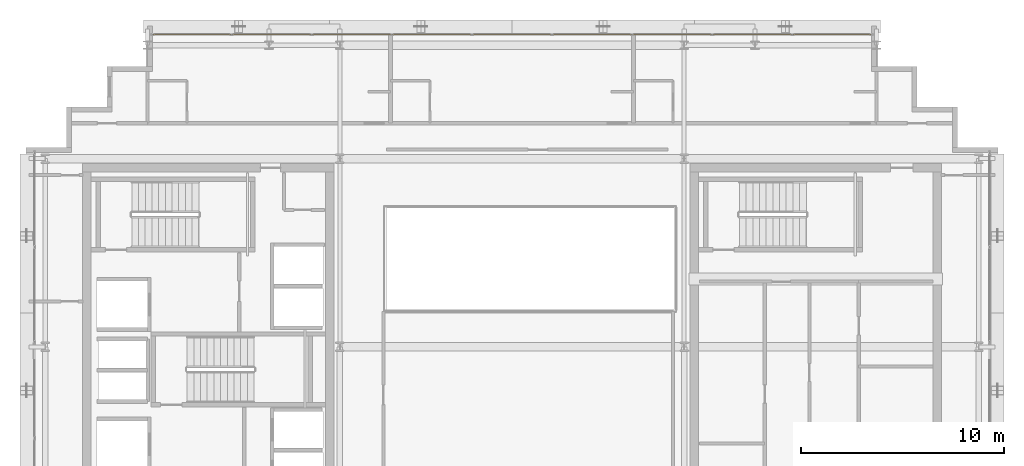
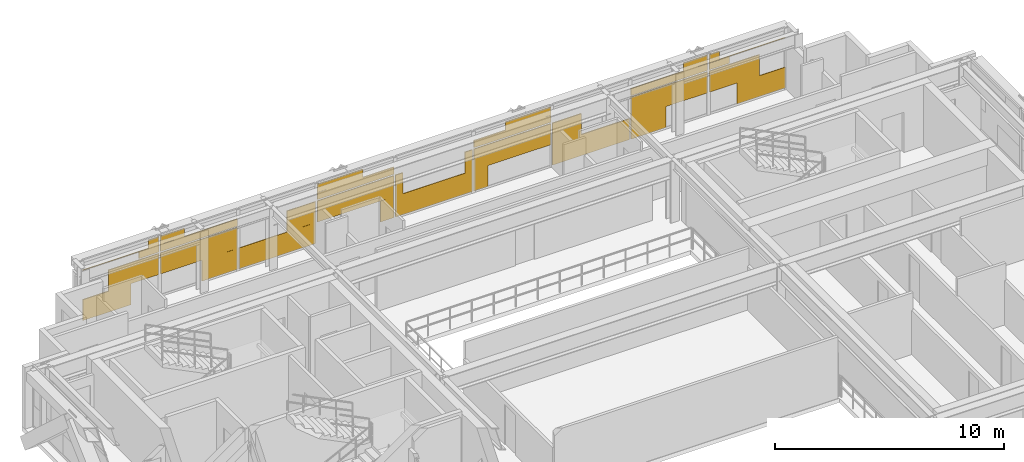
# One storey, part 28 of 28: 1 covering.
"""IFC4 building model written with IfcOpenShell, lengths in metres."""

from ifc_helpers import new_model, si_unit, direction, frame, origin, origin_2d, place, context, subcontext, project, spatial, rectangle, extrude, material, layer, layer_set, type_object, element, save


model = new_model("IFC4")

# Units and contexts
model_context = context("Model", 3, precision=1e-05, world=origin(), true_north=direction((0.0, 1.0)))
body_context = subcontext(model_context, "Body", "Model", "MODEL_VIEW")
ifc_project = project(units=[si_unit("LENGTHUNIT", "METRE"), si_unit("AREAUNIT", "SQUARE_METRE"), si_unit("VOLUMEUNIT", "CUBIC_METRE"), si_unit("PLANEANGLEUNIT", "RADIAN"), si_unit("MASSUNIT", "GRAM", prefix="KILO")], contexts=[model_context])

# Site, building, storey
site_placement = place(None, origin())
site = spatial("IfcSite", under=ifc_project, at=site_placement, CompositionType="ELEMENT")
building_placement = place(site_placement, origin())
building = spatial("IfcBuilding", under=site, at=building_placement, Name="Ocotamira Hotel", CompositionType="ELEMENT")
storey_placement = place(building_placement, frame((0.0, 0.0, 243.60009765625)))
storey = spatial("IfcBuildingStorey", under=building, at=storey_placement, Name="L61", CompositionType="ELEMENT", Elevation=243.60009765625)

# Covering
ifc_material = material(Name="Insulated pale-metal aluminium spandrel panel", Category="aluminium")
ifc_layer = layer(ifc_material, 0.044921875)
ifc_layer_set = layer_set([ifc_layer], Name="Insulated pale-metal aluminium spandrel panel")
covering_type = type_object("IfcCoveringType", Name="COV-INFILL-45", PredefinedType="CLADDING", material=ifc_layer_set)
covering_placement = place(storey_placement, origin())
element("IfcCovering", 1, at=covering_placement, inside=storey, type_object=covering_type, Name="L61 Curtain Wall Infill CW-5 CW-L61-N", PredefinedType="CLADDING", context=body_context, shape_type="SweptSolid", body=[
    extrude(rectangle(XDim=2.42822265625, YDim=0.044921875, at=origin_2d()), frame((15.49462890625, 43.580078125, 0.075439453125), z_axis=(0.0, 0.0, 1.0), x_axis=(1.0, 0.0, 0.0)), (0.0, 0.0, 1.0), 1.11767578125),
    extrude(rectangle(XDim=2.54541015625, YDim=0.044921875, at=origin_2d()), frame((16.84228515625, 43.580078125, 1.19384765625), z_axis=(0.0, 0.0, 1.0), x_axis=(1.0, 0.0, 0.0)), (0.0, 0.0, 1.0), 1.117919921875),
    extrude(rectangle(XDim=3.834716796875, YDim=0.044921875, at=origin_2d()), frame((16.19775390625, 43.580078125, 2.744140625), z_axis=(0.0, 0.0, 1.0), x_axis=(1.0, 0.0, 0.0)), (0.0, 0.0, 1.0), 0.0244140625),
    extrude(rectangle(XDim=1.0107421875, YDim=0.044921875, at=origin_2d()), frame((17.609619140625, 43.580078125, 2.3876953125), z_axis=(0.0, 0.0, 1.0), x_axis=(1.0, 0.0, 0.0)), (0.0, 0.0, 1.0), 0.355224609375),
    extrude(rectangle(XDim=0.52001953125, YDim=0.044921875, at=origin_2d()), frame((17.85498046875, 43.580078125, 2.76953125), z_axis=(0.0, 0.0, 1.0), x_axis=(1.0, 0.0, 0.0)), (0.0, 0.0, 1.0), 0.434814453125),
    extrude(rectangle(XDim=3.87451171875, YDim=0.044921875, at=origin_2d()), frame((20.13330078125, 43.580078125, 1.19384765625), z_axis=(0.0, 0.0, 1.0), x_axis=(1.0, 0.0, 0.0)), (0.0, 0.0, 1.0), 1.117919921875),
    extrude(rectangle(XDim=1.779296875, YDim=0.044921875, at=origin_2d()), frame((21.180908203125, 43.580078125, 0.075439453125), z_axis=(0.0, 0.0, 1.0), x_axis=(1.0, 0.0, 0.0)), (0.0, 0.0, 1.0), 1.11767578125),
    extrude(rectangle(XDim=3.87451171875, YDim=0.044921875, at=origin_2d()), frame((20.13330078125, 43.580078125, 2.3876953125), z_axis=(0.0, 0.0, 1.0), x_axis=(1.0, 0.0, 0.0)), (0.0, 0.0, 1.0), 0.380615234375),
    extrude(rectangle(XDim=1.208984375, YDim=0.044921875, at=origin_2d()), frame((18.800537109375, 43.580078125, 2.76953125), z_axis=(0.0, 0.0, 1.0), x_axis=(1.0, 0.0, 0.0)), (0.0, 0.0, 1.0), 0.434814453125),
    extrude(rectangle(XDim=3.87451171875, YDim=0.044921875, at=origin_2d()), frame((24.0888671875, 43.580078125, 0.075439453125), z_axis=(0.0, 0.0, 1.0), x_axis=(1.0, 0.0, 0.0)), (0.0, 0.0, 1.0), 1.11767578125),
    extrude(rectangle(XDim=1.45654296875, YDim=0.044921875, at=origin_2d()), frame((25.2978515625, 43.580078125, 1.19384765625), z_axis=(0.0, 0.0, 1.0), x_axis=(1.0, 0.0, 0.0)), (0.0, 0.0, 1.0), 1.117919921875),
    extrude(rectangle(XDim=3.87451171875, YDim=0.044921875, at=origin_2d()), frame((28.04443359375, 43.580078125, 1.19384765625), z_axis=(0.0, 0.0, 1.0), x_axis=(1.0, 0.0, 0.0)), (0.0, 0.0, 1.0), 1.117919921875),
    extrude(rectangle(XDim=0.6904296875, YDim=0.044921875, at=origin_2d()), frame((29.636474609375, 43.580078125, 0.075439453125), z_axis=(0.0, 0.0, 1.0), x_axis=(1.0, 0.0, 0.0)), (0.0, 0.0, 1.0), 1.11767578125),
    extrude(rectangle(XDim=3.87451171875, YDim=0.044921875, at=origin_2d()), frame((28.04443359375, 43.580078125, 2.3876953125), z_axis=(0.0, 0.0, 1.0), x_axis=(1.0, 0.0, 0.0)), (0.0, 0.0, 1.0), 0.380615234375),
    extrude(rectangle(XDim=2.2978515625, YDim=0.044921875, at=origin_2d()), frame((27.256103515625, 43.580078125, 2.76953125), z_axis=(0.0, 0.0, 1.0), x_axis=(1.0, 0.0, 0.0)), (0.0, 0.0, 1.0), 0.434814453125),
    extrude(rectangle(XDim=3.87451171875, YDim=0.044921875, at=origin_2d()), frame((32.0, 43.580078125, 0.075439453125), z_axis=(0.0, 0.0, 1.0), x_axis=(1.0, 0.0, 0.0)), (0.0, 0.0, 1.0), 1.11767578125),
    extrude(rectangle(XDim=0.367919921875, YDim=0.044921875, at=origin_2d()), frame((30.24658203125, 43.580078125, 1.19384765625), z_axis=(0.0, 0.0, 1.0), x_axis=(1.0, 0.0, 0.0)), (0.0, 0.0, 1.0), 1.117919921875),
    extrude(rectangle(XDim=0.367919921875, YDim=0.044921875, at=origin_2d()), frame((33.75341796875, 43.580078125, 1.19384765625), z_axis=(0.0, 0.0, 1.0), x_axis=(1.0, 0.0, 0.0)), (0.0, 0.0, 1.0), 1.117919921875),
    extrude(rectangle(XDim=0.6904296875, YDim=0.044921875, at=origin_2d()), frame((34.363525390625, 43.580078125, 0.075439453125), z_axis=(0.0, 0.0, 1.0), x_axis=(1.0, 0.0, 0.0)), (0.0, 0.0, 1.0), 1.11767578125),
    extrude(rectangle(XDim=3.87451171875, YDim=0.044921875, at=origin_2d()), frame((35.95556640625, 43.580078125, 1.19384765625), z_axis=(0.0, 0.0, 1.0), x_axis=(1.0, 0.0, 0.0)), (0.0, 0.0, 1.0), 1.117919921875),
    extrude(rectangle(XDim=3.87451171875, YDim=0.044921875, at=origin_2d()), frame((35.95556640625, 43.580078125, 2.3876953125), z_axis=(0.0, 0.0, 1.0), x_axis=(1.0, 0.0, 0.0)), (0.0, 0.0, 1.0), 0.380615234375),
    extrude(rectangle(XDim=2.2978515625, YDim=0.044921875, at=origin_2d()), frame((36.743896484375, 43.580078125, 2.76953125), z_axis=(0.0, 0.0, 1.0), x_axis=(1.0, 0.0, 0.0)), (0.0, 0.0, 1.0), 0.434814453125),
    extrude(rectangle(XDim=3.87451171875, YDim=0.044921875, at=origin_2d()), frame((39.9111328125, 43.580078125, 0.075439453125), z_axis=(0.0, 0.0, 1.0), x_axis=(1.0, 0.0, 0.0)), (0.0, 0.0, 1.0), 1.11767578125),
    extrude(rectangle(XDim=1.45654296875, YDim=0.044921875, at=origin_2d()), frame((38.7021484375, 43.580078125, 1.19384765625), z_axis=(0.0, 0.0, 1.0), x_axis=(1.0, 0.0, 0.0)), (0.0, 0.0, 1.0), 1.117919921875),
    extrude(rectangle(XDim=1.779296875, YDim=0.044921875, at=origin_2d()), frame((42.819091796875, 43.580078125, 0.075439453125), z_axis=(0.0, 0.0, 1.0), x_axis=(1.0, 0.0, 0.0)), (0.0, 0.0, 1.0), 1.11767578125),
    extrude(rectangle(XDim=3.87451171875, YDim=0.044921875, at=origin_2d()), frame((43.86669921875, 43.580078125, 1.19384765625), z_axis=(0.0, 0.0, 1.0), x_axis=(1.0, 0.0, 0.0)), (0.0, 0.0, 1.0), 1.117919921875),
    extrude(rectangle(XDim=3.87451171875, YDim=0.044921875, at=origin_2d()), frame((43.86669921875, 43.580078125, 2.3876953125), z_axis=(0.0, 0.0, 1.0), x_axis=(1.0, 0.0, 0.0)), (0.0, 0.0, 1.0), 0.380615234375),
    extrude(rectangle(XDim=1.208984375, YDim=0.044921875, at=origin_2d()), frame((45.199462890625, 43.580078125, 2.76953125), z_axis=(0.0, 0.0, 1.0), x_axis=(1.0, 0.0, 0.0)), (0.0, 0.0, 1.0), 0.434814453125),
    extrude(rectangle(XDim=2.54541015625, YDim=0.044921875, at=origin_2d()), frame((47.15771484375, 43.580078125, 1.19384765625), z_axis=(0.0, 0.0, 1.0), x_axis=(1.0, 0.0, 0.0)), (0.0, 0.0, 1.0), 1.117919921875),
    extrude(rectangle(XDim=2.42822265625, YDim=0.044921875, at=origin_2d()), frame((48.50537109375, 43.580078125, 0.075439453125), z_axis=(0.0, 0.0, 1.0), x_axis=(1.0, 0.0, 0.0)), (0.0, 0.0, 1.0), 1.11767578125),
    extrude(rectangle(XDim=1.0107421875, YDim=0.044921875, at=origin_2d()), frame((46.390380859375, 43.580078125, 2.3876953125), z_axis=(0.0, 0.0, 1.0), x_axis=(1.0, 0.0, 0.0)), (0.0, 0.0, 1.0), 0.355224609375),
    extrude(rectangle(XDim=3.834716796875, YDim=0.044921875, at=origin_2d()), frame((47.80224609375, 43.580078125, 2.744140625), z_axis=(0.0, 0.0, 1.0), x_axis=(1.0, 0.0, 0.0)), (0.0, 0.0, 1.0), 0.0244140625),
    extrude(rectangle(XDim=0.52001953125, YDim=0.044921875, at=origin_2d()), frame((46.14501953125, 43.580078125, 2.76953125), z_axis=(0.0, 0.0, 1.0), x_axis=(1.0, 0.0, 0.0)), (0.0, 0.0, 1.0), 0.434814453125),
])

save(model, "model.ifc")
